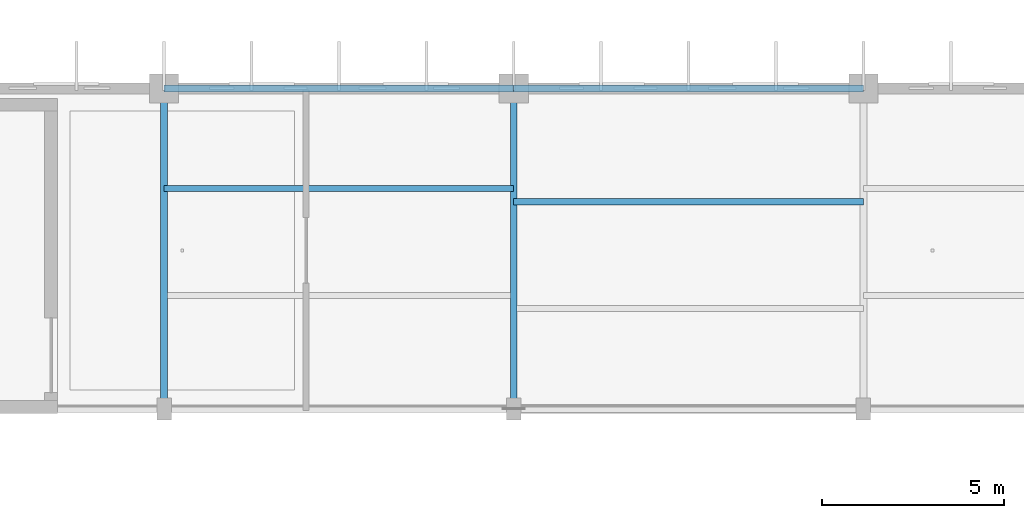
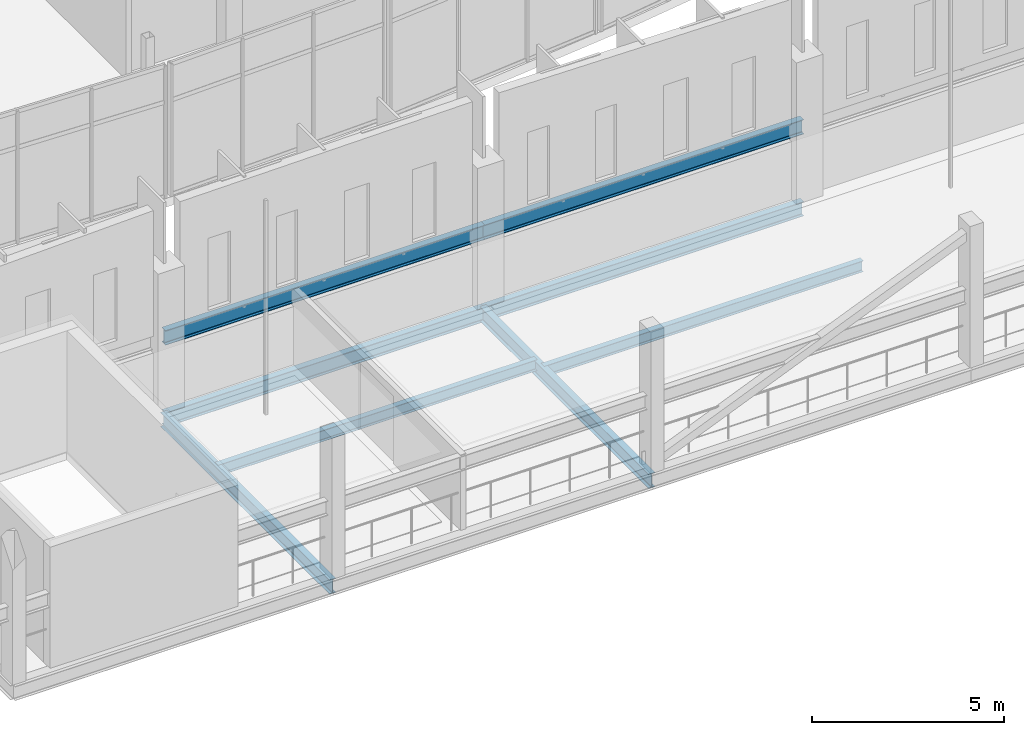
# One storey, part 43 of 114: 8 beams.
"""IFC4 building model written with IfcOpenShell, lengths in metres."""

from ifc_helpers import new_model, si_unit, direction, frame, origin, origin_2d, place, context, subcontext, project, spatial, i_section, extrude, material, material_profile, profile_set, type_object, element, save


model = new_model("IFC4")

# Units and contexts
model_context = context("Model", 3, precision=1e-05, world=origin(), true_north=direction((0.0, 1.0)))
body_context = subcontext(model_context, "Body", "Model", "MODEL_VIEW")
ifc_project = project(units=[si_unit("LENGTHUNIT", "METRE"), si_unit("AREAUNIT", "SQUARE_METRE"), si_unit("VOLUMEUNIT", "CUBIC_METRE"), si_unit("PLANEANGLEUNIT", "RADIAN"), si_unit("MASSUNIT", "GRAM", prefix="KILO")], contexts=[model_context])

# Site, building, storey
site_placement = place(None, origin())
site = spatial("IfcSite", under=ifc_project, at=site_placement, CompositionType="ELEMENT")
building_placement = place(site_placement, origin())
building = spatial("IfcBuilding", under=site, at=building_placement, Name="Chalmorin Arch Market", CompositionType="ELEMENT")
storey_placement = place(building_placement, frame((0.0, 0.0, 9.60009765625)))
storey = spatial("IfcBuildingStorey", under=building, at=storey_placement, Name="L02", CompositionType="ELEMENT", Elevation=9.60009765625)

# Beams
ifc_material = material(Name="Steel A992 Grade 50", Category="steel")
ifc_material_profile_1 = material_profile(ifc_material, i_section(OverallWidth=0.19091796875, OverallDepth=0.45703125, WebThickness=0.009033203125, FlangeThickness=0.014404296875, FilletRadius=0.02001953125, at=origin_2d()), Name="W18X50")
ifc_profile_set_1 = profile_set([ifc_material_profile_1], Name="Steel A992 Grade 50")
beam_type_1 = type_object("IfcBeamType", Name="FloorSteelBeam-W18X50", PredefinedType="BEAM", material=ifc_profile_set_1)
for number, where, z_axis, x_axis, name in (
    (1, (76.800048828125, 50.0, -0.460693359375), (0.0, 1.0, 0.0), (-1.0, 0.0, 0.0), "BM-W18B-1110"),
    (2, (86.39990234375, 50.0, -0.460693359375), (0.0, 1.0, 0.0), (-1.0, 0.0, 0.0), "BM-W18B-1113"),
):
    element("IfcBeam", number, at=place(storey_placement, frame(where, z_axis=z_axis, x_axis=x_axis)), inside=storey, type_object=beam_type_1, Name=name, PredefinedType="BEAM", context=body_context, shape_type="SweptSolid", body=[
        extrude(i_section(OverallWidth=0.19091796875, OverallDepth=0.45703125, WebThickness=0.009033203125, FlangeThickness=0.014404296875, FilletRadius=0.02001953125, at=origin_2d()), origin(), (0.0, 0.0, 1.0), 8.800048828125),
    ])
ifc_material_profile_2 = material_profile(ifc_material, i_section(OverallWidth=0.193115234375, OverallDepth=0.466064453125, WebThickness=0.011474609375, FlangeThickness=0.01904296875, FilletRadius=0.02001953125, at=origin_2d()), Name="W18X65")
ifc_profile_set_2 = profile_set([ifc_material_profile_2], Name="Steel A992 Grade 50")
beam_type_2 = type_object("IfcBeamType", Name="FloorSteelBeam-W18X65", PredefinedType="BEAM", material=ifc_profile_set_2)
beam_1_placement = place(storey_placement, frame((76.800048828125, 58.800048828125, 2.14990234375), z_axis=(1.0, 0.0, 0.0), x_axis=(0.0, 1.0, 0.0)))
element("IfcBeam", 3, at=beam_1_placement, inside=storey, type_object=beam_type_2, Name="BM-W18A-1779", PredefinedType="BEAM", context=body_context, shape_type="SweptSolid", body=[
    extrude(i_section(OverallWidth=0.193115234375, OverallDepth=0.466064453125, WebThickness=0.011474609375, FlangeThickness=0.01904296875, FilletRadius=0.02001953125, at=origin_2d()), origin(), (0.0, 0.0, 1.0), 9.599853515625),
])
beam_2_placement = place(storey_placement, frame((86.39990234375, 58.800048828125, 2.14990234375), z_axis=(1.0, 0.0, 0.0), x_axis=(0.0, 1.0, 0.0)))
element("IfcBeam", 4, at=beam_2_placement, inside=storey, type_object=beam_type_2, Name="BM-W18A-1783", PredefinedType="BEAM", context=body_context, shape_type="SweptSolid", body=[
    extrude(i_section(OverallWidth=0.193115234375, OverallDepth=0.466064453125, WebThickness=0.011474609375, FlangeThickness=0.01904296875, FilletRadius=0.02001953125, at=origin_2d()), origin(), (0.0, 0.0, 1.0), 9.60009765625),
])
ifc_material_profile_3 = material_profile(ifc_material, i_section(OverallWidth=0.19091796875, OverallDepth=0.45703125, WebThickness=0.009033203125, FlangeThickness=0.014404296875, FilletRadius=0.02001953125, at=origin_2d()), Name="W18X50")
ifc_profile_set_3 = profile_set([ifc_material_profile_3], Name="Steel A992 Grade 50")
beam_type_3 = type_object("IfcBeamType", Name="PerimeterSpandrelBeam-W18X50", PredefinedType="SPANDREL", material=ifc_profile_set_3)
beam_3_placement = place(storey_placement, frame((76.800048828125, 58.800048828125, -0.460693359375), z_axis=(1.0, 0.0, 0.0), x_axis=(0.0, 1.0, 0.0)))
element("IfcBeam", 5, at=beam_3_placement, inside=storey, type_object=beam_type_3, Name="SP-W18-1112", PredefinedType="SPANDREL", context=body_context, shape_type="SweptSolid", body=[
    extrude(i_section(OverallWidth=0.19091796875, OverallDepth=0.45703125, WebThickness=0.009033203125, FlangeThickness=0.014404296875, FilletRadius=0.02001953125, at=origin_2d()), origin(), (0.0, 0.0, 1.0), 9.599853515625),
])
beam_4_placement = place(storey_placement, frame((86.39990234375, 58.800048828125, -0.460693359375), z_axis=(1.0, 0.0, 0.0), x_axis=(0.0, 1.0, 0.0)))
element("IfcBeam", 6, at=beam_4_placement, inside=storey, type_object=beam_type_3, Name="SP-W18-1115", PredefinedType="SPANDREL", context=body_context, shape_type="SweptSolid", body=[
    extrude(i_section(OverallWidth=0.19091796875, OverallDepth=0.45703125, WebThickness=0.009033203125, FlangeThickness=0.014404296875, FilletRadius=0.02001953125, at=origin_2d()), origin(), (0.0, 0.0, 1.0), 9.60009765625),
])
ifc_material_profile_4 = material_profile(ifc_material, i_section(OverallWidth=0.1708984375, OverallDepth=0.35107421875, WebThickness=0.0068359375, FlangeThickness=0.009765625, FilletRadius=0.014892578125, at=origin_2d()), Name="W14X30")
ifc_profile_set_4 = profile_set([ifc_material_profile_4], Name="Steel A992 Grade 50")
beam_type_4 = type_object("IfcBeamType", Name="SecondaryFloorJoist-W14X30", PredefinedType="JOIST", material=ifc_profile_set_4)
beam_5_placement = place(storey_placement, frame((76.800048828125, 56.046630859375, -0.40771484375), z_axis=(1.0, 0.0, 0.0), x_axis=(0.0, 1.0, 0.0)))
element("IfcBeam", 7, at=beam_5_placement, inside=storey, type_object=beam_type_4, Name="BJ-W14-1127", PredefinedType="JOIST", context=body_context, shape_type="SweptSolid", body=[
    extrude(i_section(OverallWidth=0.1708984375, OverallDepth=0.35107421875, WebThickness=0.0068359375, FlangeThickness=0.009765625, FilletRadius=0.014892578125, at=origin_2d()), origin(), (0.0, 0.0, 1.0), 9.599853515625),
])
beam_6_placement = place(storey_placement, frame((86.39990234375, 55.686767578125, -0.40771484375), z_axis=(1.0, 0.0, 0.0), x_axis=(0.0, 1.0, 0.0)))
element("IfcBeam", 8, at=beam_6_placement, inside=storey, type_object=beam_type_4, Name="BJ-W14-1129", PredefinedType="JOIST", context=body_context, shape_type="SweptSolid", body=[
    extrude(i_section(OverallWidth=0.1708984375, OverallDepth=0.35107421875, WebThickness=0.0068359375, FlangeThickness=0.009765625, FilletRadius=0.014892578125, at=origin_2d()), origin(), (0.0, 0.0, 1.0), 9.60009765625),
])

save(model, "model.ifc")
